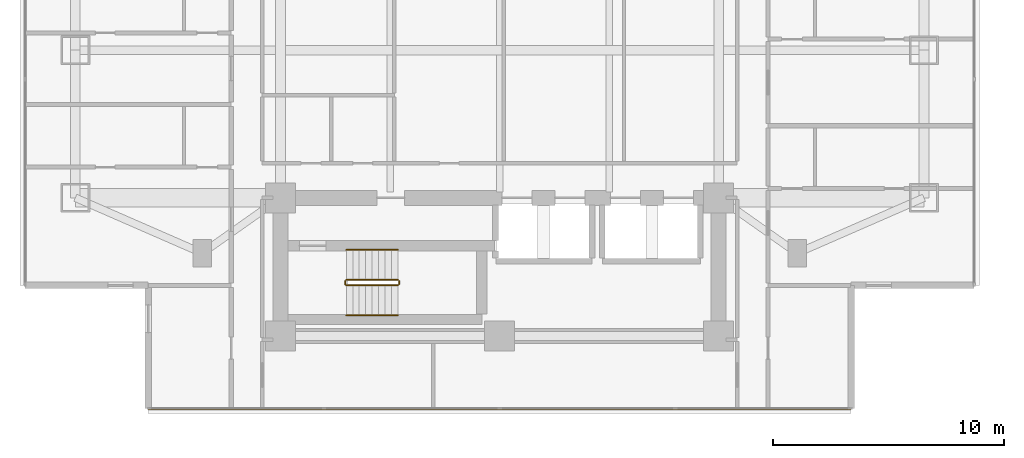
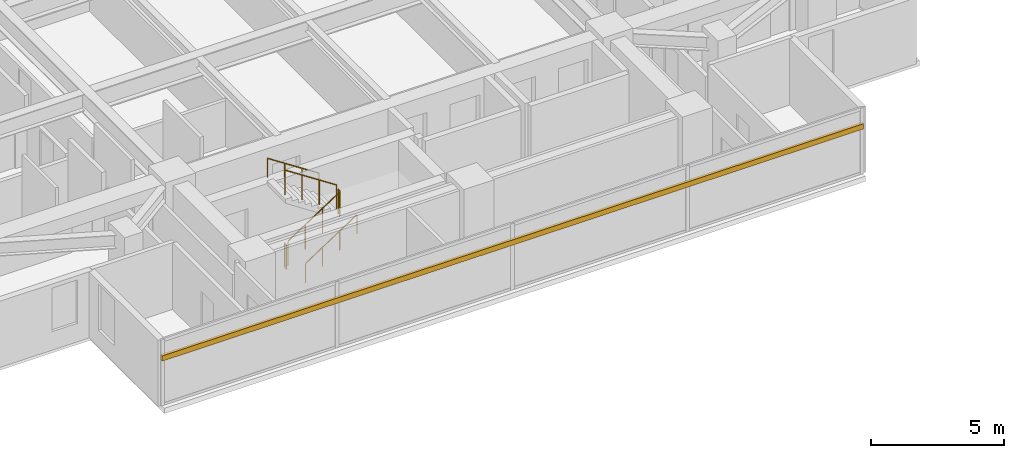
# One storey, part 22 of 27: 6 railings, 1 shading device.
"""IFC4 building model written with IfcOpenShell, lengths in metres."""

from ifc_helpers import new_model, si_unit, direction, frame, origin, origin_2d, place, context, subcontext, project, spatial, rectangle, circle, extrude, material, material_profile, profile_set, type_object, element, save


model = new_model("IFC4")

# Units and contexts
model_context = context("Model", 3, precision=1e-05, world=origin(), true_north=direction((0.0, 1.0)))
body_context = subcontext(model_context, "Body", "Model", "MODEL_VIEW")
ifc_project = project(units=[si_unit("LENGTHUNIT", "METRE"), si_unit("AREAUNIT", "SQUARE_METRE"), si_unit("VOLUMEUNIT", "CUBIC_METRE"), si_unit("PLANEANGLEUNIT", "RADIAN"), si_unit("MASSUNIT", "GRAM", prefix="KILO")], contexts=[model_context])

# Site, building, storey
site_placement = place(None, origin())
site = spatial("IfcSite", under=ifc_project, at=site_placement, CompositionType="ELEMENT")
building_placement = place(site_placement, origin())
building = spatial("IfcBuilding", under=site, at=building_placement, Name="Mirazonda Arch Towers", CompositionType="ELEMENT")
storey_placement = place(building_placement, frame((0.0, 0.0, 52.10009765625)))
storey = spatial("IfcBuildingStorey", under=building, at=storey_placement, Name="L14", CompositionType="ELEMENT", Elevation=52.10009765625)

# Shading device
ifc_material_1 = material(Name="Kiln-Fired Architectural Terracotta", Category="masonry")
ifc_material_profile = material_profile(ifc_material_1, rectangle(XDim=0.1201171875, YDim=0.239990234375, at=origin_2d()), Name="TERRA-BAG-120x240")
ifc_profile_set = profile_set([ifc_material_profile], Name="Kiln-Fired Architectural Terracotta")
shading_device_type = type_object("IfcShadingDeviceType", Name="BAGUETTE-1", PredefinedType="USERDEFINED", material=ifc_profile_set)
shading_device_placement = place(storey_placement, frame((35.739990234375, 9.260009765625, 2.188720703125), z_axis=(-1.0, 0.0, 0.0), x_axis=(0.0, -1.0, 0.0)))
element("IfcShadingDevice", 1, at=shading_device_placement, inside=storey, type_object=shading_device_type, Name="L14 Glazed Terracotta Sun-Screen Baguette CW-L14-T1-S", ObjectType="BAGUETTE", PredefinedType="USERDEFINED", context=body_context, shape_type="SweptSolid", body=[
    extrude(rectangle(XDim=0.1201171875, YDim=0.239990234375, at=origin_2d()), origin(), (0.0, 0.0, 1.0), 30.47998046875),
])

# Railings
ifc_material_2 = material(Name="Architectural Brushed Steel S355", Category="steel")
railing_type_1 = type_object("IfcRailingType", Name="GUARD-STAIR-1120", PredefinedType="GUARDRAIL", material=ifc_material_2)
railing_1_placement = place(storey_placement, frame((13.85009765625, 14.60009765625, 0.183349609375)))
element("IfcRailing", 2, at=railing_1_placement, inside=storey, type_object=railing_type_1, Name="L14 ST-T1S stair guard 1", PredefinedType="GUARDRAIL", context=body_context, shape_type="SweptSolid", body=[
    extrude(circle(Radius=0.02392578125, at=origin_2d()), frame((0.0, 0.0, 1.1259765625), z_axis=(0.836636935527, 0.0, 0.547757827979), x_axis=(0.0, 1.0, 0.0)), (0.0, 0.0, 1.0), 2.677490234375),
    extrude(circle(Radius=0.02099609375, at=origin_2d()), origin(), (0.0, 0.0, 1.0), 1.101806640625),
    extrude(circle(Radius=0.02099609375, at=origin_2d()), frame((0.74658203125, 0.0, 0.48876953125)), (0.0, 0.0, 1.0), 1.101806640625),
    extrude(circle(Radius=0.02099609375, at=origin_2d()), frame((1.493408203125, 0.0, 0.977783203125)), (0.0, 0.0, 1.0), 1.101806640625),
    extrude(circle(Radius=0.02099609375, at=origin_2d()), frame((2.239990234375, 0.0, 1.466552734375)), (0.0, 0.0, 1.0), 1.101806640625),
])
railing_2_placement = place(storey_placement, frame((16.139892578125, 14.64990234375, 1.64990234375)))
element("IfcRailing", 3, at=railing_2_placement, inside=storey, type_object=railing_type_1, Name="L14 ST-T1S stair guard 2", PredefinedType="GUARDRAIL", context=body_context, shape_type="SweptSolid", body=[
    extrude(circle(Radius=0.02392578125, at=origin_2d()), frame((0.0, 0.0, 1.1259765625), z_axis=(0.0, 1.0, 0.0), x_axis=(-1.0, 0.0, 0.0)), (0.0, 0.0, 1.0), 0.14013671875),
    extrude(circle(Radius=0.02099609375, at=origin_2d()), origin(), (0.0, 0.0, 1.0), 1.101806640625),
    extrude(circle(Radius=0.02099609375, at=origin_2d()), frame((0.0, 0.14013671875, 0.0)), (0.0, 0.0, 1.0), 1.101806640625),
])
railing_3_placement = place(storey_placement, frame((16.090087890625, 14.840087890625, 1.833251953125)))
element("IfcRailing", 4, at=railing_3_placement, inside=storey, type_object=railing_type_1, Name="L14 ST-T1S stair guard 3", PredefinedType="GUARDRAIL", context=body_context, shape_type="SweptSolid", body=[
    extrude(circle(Radius=0.02392578125, at=origin_2d()), frame((0.0, 0.0, 1.1259765625), z_axis=(-0.836636935527, 0.0, 0.547757827979), x_axis=(0.0, -1.0, 0.0)), (0.0, 0.0, 1.0), 2.677490234375),
    extrude(circle(Radius=0.02099609375, at=origin_2d()), origin(), (0.0, 0.0, 1.0), 1.101806640625),
    extrude(circle(Radius=0.02099609375, at=origin_2d()), frame((-0.74658203125, 0.0, 0.48876953125)), (0.0, 0.0, 1.0), 1.101806640625),
    extrude(circle(Radius=0.02099609375, at=origin_2d()), frame((-1.493408203125, 0.0, 0.977783203125)), (0.0, 0.0, 1.0), 1.101806640625),
    extrude(circle(Radius=0.02099609375, at=origin_2d()), frame((-2.239990234375, 0.0, 1.466552734375)), (0.0, 0.0, 1.0), 1.101806640625),
])
railing_4_placement = place(storey_placement, frame((13.800048828125, 14.64990234375, 0.0)))
element("IfcRailing", 5, at=railing_4_placement, inside=storey, type_object=railing_type_1, Name="L14 ST-T1S stair guard 4", PredefinedType="GUARDRAIL", context=body_context, shape_type="SweptSolid", body=[
    extrude(circle(Radius=0.02392578125, at=origin_2d()), frame((0.0, 0.0, 1.1259765625), z_axis=(0.0, 1.0, 0.0), x_axis=(-1.0, 0.0, 0.0)), (0.0, 0.0, 1.0), 0.14013671875),
    extrude(circle(Radius=0.02099609375, at=origin_2d()), origin(), (0.0, 0.0, 1.0), 1.101806640625),
    extrude(circle(Radius=0.02099609375, at=origin_2d()), frame((0.0, 0.14013671875, 0.0)), (0.0, 0.0, 1.0), 1.101806640625),
])
railing_type_2 = type_object("IfcRailingType", Name="HANDRAIL-915", PredefinedType="HANDRAIL", material=ifc_material_2)
railing_5_placement = place(storey_placement, frame((13.85009765625, 13.300048828125, 0.183349609375)))
element("IfcRailing", 6, at=railing_5_placement, inside=storey, type_object=railing_type_2, Name="L14 ST-T1S stair handrail 1", PredefinedType="HANDRAIL", context=body_context, shape_type="SweptSolid", body=[
    extrude(circle(Radius=0.02392578125, at=origin_2d()), frame((0.0, 0.0, 0.8759765625), z_axis=(0.836636935527, 0.0, 0.547757827979), x_axis=(0.0, 1.0, 0.0)), (0.0, 0.0, 1.0), 2.677490234375),
    extrude(circle(Radius=0.02099609375, at=origin_2d()), origin(), (0.0, 0.0, 1.0), 0.851806640625),
    extrude(circle(Radius=0.02099609375, at=origin_2d()), frame((0.74658203125, 0.0, 0.48876953125)), (0.0, 0.0, 1.0), 0.851806640625),
    extrude(circle(Radius=0.02099609375, at=origin_2d()), frame((1.493408203125, 0.0, 0.977783203125)), (0.0, 0.0, 1.0), 0.851806640625),
    extrude(circle(Radius=0.02099609375, at=origin_2d()), frame((2.239990234375, 0.0, 1.466552734375)), (0.0, 0.0, 1.0), 0.851806640625),
])
railing_6_placement = place(storey_placement, frame((16.090087890625, 16.139892578125, 1.833251953125)))
element("IfcRailing", 7, at=railing_6_placement, inside=storey, type_object=railing_type_2, Name="L14 ST-T1S stair handrail 2", PredefinedType="HANDRAIL", context=body_context, shape_type="SweptSolid", body=[
    extrude(circle(Radius=0.02392578125, at=origin_2d()), frame((0.0, 0.0, 0.8759765625), z_axis=(-0.836636935527, 0.0, 0.547757827979), x_axis=(0.0, -1.0, 0.0)), (0.0, 0.0, 1.0), 2.677490234375),
    extrude(circle(Radius=0.02099609375, at=origin_2d()), origin(), (0.0, 0.0, 1.0), 0.851806640625),
    extrude(circle(Radius=0.02099609375, at=origin_2d()), frame((-0.74658203125, 0.0, 0.48876953125)), (0.0, 0.0, 1.0), 0.851806640625),
    extrude(circle(Radius=0.02099609375, at=origin_2d()), frame((-1.493408203125, 0.0, 0.977783203125)), (0.0, 0.0, 1.0), 0.851806640625),
    extrude(circle(Radius=0.02099609375, at=origin_2d()), frame((-2.239990234375, 0.0, 1.466552734375)), (0.0, 0.0, 1.0), 0.851806640625),
])

save(model, "model.ifc")
